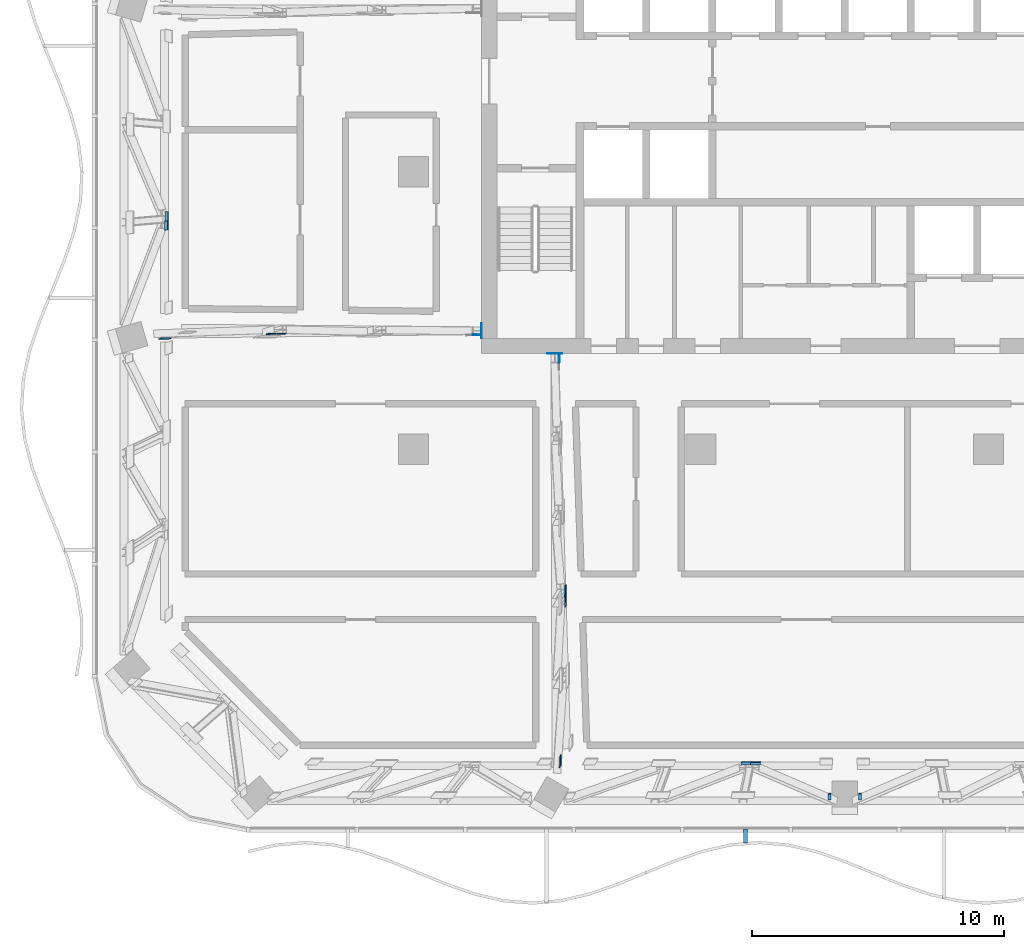
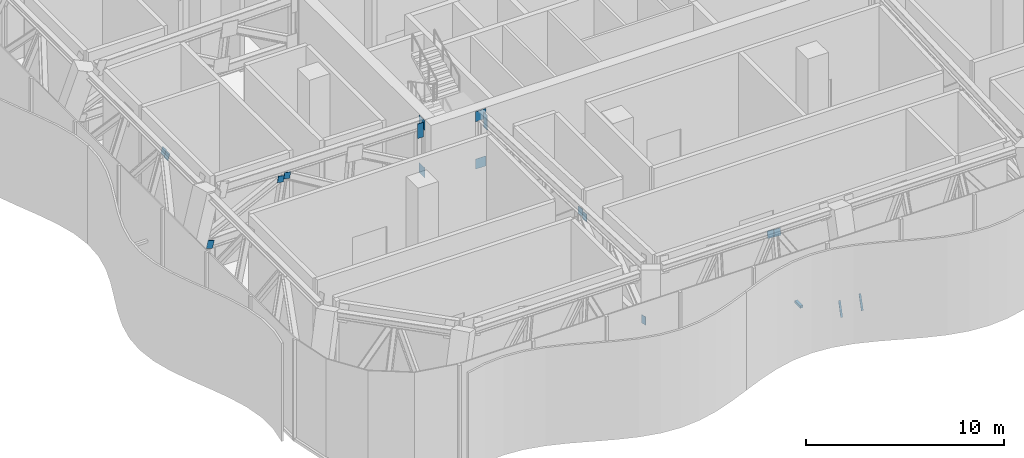
# One storey, part 19 of 29: 19 discrete accessories.
"""IFC4 building model written with IfcOpenShell, lengths in metres."""

from ifc_helpers import new_model, si_unit, direction, frame, origin, origin_2d, place, context, subcontext, project, spatial, rectangle, extrude, material, layer, layer_set, type_object, element, save


model = new_model("IFC4")

# Units and contexts
model_context = context("Model", 3, precision=1e-05, world=origin(), true_north=direction((0.0, 1.0)))
body_context = subcontext(model_context, "Body", "Model", "MODEL_VIEW")
ifc_project = project(units=[si_unit("LENGTHUNIT", "METRE"), si_unit("AREAUNIT", "SQUARE_METRE"), si_unit("VOLUMEUNIT", "CUBIC_METRE"), si_unit("PLANEANGLEUNIT", "RADIAN"), si_unit("MASSUNIT", "GRAM", prefix="KILO")], contexts=[model_context])

# Site, building, storey
site_placement = place(None, origin())
site = spatial("IfcSite", under=ifc_project, at=site_placement, CompositionType="ELEMENT")
building_placement = place(site_placement, origin())
building = spatial("IfcBuilding", under=site, at=building_placement, Name="Mopane Tessera Tower", CompositionType="ELEMENT")
storey_placement = place(building_placement, frame((0.0, 0.0, 315.39990234375)))
storey = spatial("IfcBuildingStorey", under=building, at=storey_placement, Name="L69", CompositionType="ELEMENT", Elevation=315.39990234375)

# Discrete accessories
ifc_material_1 = material(Name="Structural steel S460", Category="steel")
ifc_layer_1 = layer(ifc_material_1, 0.014892578125)
ifc_layer_set_1 = layer_set([ifc_layer_1], Name="Structural steel S460")
discrete_accessory_type_1 = type_object("IfcDiscreteAccessoryType", Name="Cast-in anchor plate 15 mm", PredefinedType="ANCHORPLATE", material=ifc_layer_set_1)
for number, where, z_axis, x_axis, name in (
    (1, (-14.407470703125, -6.30029296875, 2.10009765625), (0.0, 0.0, 1.0), (-1.0, 0.0, 0.0), "Cast-in anchor plate s ot L69 W2 b"),
    (2, (-14.407470703125, -6.2998046875, 5.030029296875), (0.0, 0.0, 1.0), (-1.0, 0.0, 0.0), "Cast-in anchor plate s ot L69 W2 t"),
    (3, (-11.501220703125, -7.20751953125, 2.10009765625), (0.0, 0.0, 1.0), (0.0, -1.0, 0.0), "Cast-in anchor plate s ot L69 S1 b"),
    (4, (-11.500732421875, -7.20751953125, 5.030029296875), (0.0, 0.0, 1.0), (0.0, -1.0, 0.0), "Cast-in anchor plate s ot L69 S1 t"),
):
    element("IfcDiscreteAccessory", number, at=place(storey_placement, frame(where, z_axis=z_axis, x_axis=x_axis)), inside=storey, type_object=discrete_accessory_type_1, Name=name, PredefinedType="ANCHORPLATE", context=body_context, shape_type="SweptSolid", body=[
        extrude(rectangle(XDim=0.014892578125, YDim=0.60498046875, at=origin_2d()), origin(), (0.0, 0.0, 1.0), 0.6201171875),
    ])
ifc_material_2 = material(Name="Stainless steel S316", Category="steel")
discrete_accessory_type_2 = type_object("IfcDiscreteAccessoryType", Name="Louvre bracket 150 x 150", PredefinedType="BRACKET", material=ifc_material_2)
discrete_accessory_1_placement = place(storey_placement, frame((-3.941650390625, -26.340576171875, 2.5400390625), z_axis=(0.0, 0.0, 1.0), x_axis=(0.0, -1.0, 0.0)))
element("IfcDiscreteAccessory", 5, at=discrete_accessory_1_placement, inside=storey, type_object=discrete_accessory_type_2, Name="e:lv:L69:S:1:br0", PredefinedType="BRACKET", context=body_context, shape_type="SweptSolid", body=[
    extrude(rectangle(XDim=0.561279296875, YDim=0.14990234375, at=origin_2d()), origin(), (0.0, 0.0, 1.0), 0.14990234375),
])
ifc_material_3 = material(Name="Structural steel S460", Category="steel")
ifc_layer_2 = layer(ifc_material_3, 0.030029296875)
ifc_layer_set_2 = layer_set([ifc_layer_2], Name="Structural steel S460")
discrete_accessory_type_3 = type_object("IfcDiscreteAccessoryType", Name="Truss node plate 30 mm", PredefinedType="BRACKET", material=ifc_layer_set_2)
discrete_accessory_2_placement = place(storey_placement, frame((-14.585693359375, -6.466796875, 4.580078125), z_axis=(0.004611993812, 0.001085175015, 0.999988775891), x_axis=(-0.038361252739, -0.99926314021, 0.00126131141)))
element("IfcDiscreteAccessory", 6, at=discrete_accessory_2_placement, inside=storey, type_object=discrete_accessory_type_3, Name="Truss node plate s ot L69 W2 1", PredefinedType="BRACKET", context=body_context, shape_type="SweptSolid", body=[
    extrude(rectangle(XDim=0.030029296875, YDim=0.35009765625, at=origin_2d()), origin(), (0.0, 0.0, 1.0), 0.89990234375),
])
discrete_accessory_3_placement = place(storey_placement, frame((-22.394775390625, -6.43212890625, 4.76025390625), z_axis=(0.188911649404, 0.054544912856, 0.98047806768), x_axis=(0.021548201388, -0.998446023713, 0.051392730496)))
element("IfcDiscreteAccessory", 7, at=discrete_accessory_3_placement, inside=storey, type_object=discrete_accessory_type_3, Name="Truss node plate s ot L69 W2 4", PredefinedType="BRACKET", context=body_context, shape_type="SweptSolid", body=[
    extrude(rectangle(XDim=0.030029296875, YDim=0.35986328125, at=origin_2d()), origin(), (0.0, 0.0, 1.0), 0.366943359375),
])
discrete_accessory_4_placement = place(storey_placement, frame((-22.763671875, -6.43603515625, 4.66748046875), z_axis=(0.197200504573, 0.057101829607, 0.978698800475), x_axis=(0.023186938557, -0.99829468772, 0.05357314952)))
element("IfcDiscreteAccessory", 8, at=discrete_accessory_4_placement, inside=storey, type_object=discrete_accessory_type_3, Name="Truss node plate s ot L69 W2 6", PredefinedType="BRACKET", context=body_context, shape_type="SweptSolid", body=[
    extrude(rectangle(XDim=0.030029296875, YDim=0.35986328125, at=origin_2d()), origin(), (0.0, 0.0, 1.0), 0.36767578125),
])
discrete_accessory_5_placement = place(storey_placement, frame((-27.027587890625, -6.627197265625, 2.193359375), z_axis=(0.274793231268, 0.078820848262, 0.958267162084), x_axis=(0.030887626219, -0.996843519112, 0.073136536363)))
element("IfcDiscreteAccessory", 9, at=discrete_accessory_5_placement, inside=storey, type_object=discrete_accessory_type_3, Name="Truss node plate s ot L69 W2 8", PredefinedType="BRACKET", context=body_context, shape_type="SweptSolid", body=[
    extrude(rectangle(XDim=0.030029296875, YDim=0.382568359375, at=origin_2d()), origin(), (0.0, 0.0, 1.0), 0.4521484375),
])
discrete_accessory_6_placement = place(storey_placement, frame((-11.329345703125, -7.388671875, 4.580078125), z_axis=(0.001899064103, 0.003255538462, 0.999992897487), x_axis=(0.999997578114, -0.001118527884, -0.001895431555)))
element("IfcDiscreteAccessory", 10, at=discrete_accessory_6_placement, inside=storey, type_object=discrete_accessory_type_3, Name="Truss node plate s ot L69 S1 1", PredefinedType="BRACKET", context=body_context, shape_type="SweptSolid", body=[
    extrude(rectangle(XDim=0.030029296875, YDim=0.35009765625, at=origin_2d()), origin(), (0.0, 0.0, 1.0), 0.89990234375),
])
discrete_accessory_7_placement = place(storey_placement, frame((-11.100830078125, -16.636962890625, 4.745361328125), z_axis=(0.08667752402, 0.150085914075, 0.984866095074), x_axis=(0.996231246237, -0.009871758371, -0.086173385723)))
element("IfcDiscreteAccessory", 11, at=discrete_accessory_7_placement, inside=storey, type_object=discrete_accessory_type_3, Name="Truss node plate s ot L69 S1 6", PredefinedType="BRACKET", context=body_context, shape_type="SweptSolid", body=[
    extrude(rectangle(XDim=0.030029296875, YDim=0.41357421875, at=origin_2d()), origin(), (0.0, 0.0, 1.0), 0.419677734375),
])
discrete_accessory_8_placement = place(storey_placement, frame((-11.097900390625, -17.057373046875, 4.667236328125), z_axis=(0.090000415445, 0.156194269385, 0.983617443639), x_axis=(0.995933054911, -0.009993050928, -0.089540432592)))
element("IfcDiscreteAccessory", 12, at=discrete_accessory_8_placement, inside=storey, type_object=discrete_accessory_type_3, Name="Truss node plate s ot L69 S1 8", PredefinedType="BRACKET", context=body_context, shape_type="SweptSolid", body=[
    extrude(rectangle(XDim=0.030029296875, YDim=0.41357421875, at=origin_2d()), origin(), (0.0, 0.0, 1.0), 0.42041015625),
])
discrete_accessory_9_placement = place(storey_placement, frame((-11.3193359375, -23.4287109375, 2.19921875), z_axis=(0.139576199359, 0.241338926382, 0.960350981249), x_axis=(0.990208107512, -0.031542511996, -0.135988873642)))
element("IfcDiscreteAccessory", 13, at=discrete_accessory_9_placement, inside=storey, type_object=discrete_accessory_type_3, Name="Truss node plate s ot L69 S1 11", PredefinedType="BRACKET", context=body_context, shape_type="SweptSolid", body=[
    extrude(rectangle(XDim=0.030029296875, YDim=0.421630859375, at=origin_2d()), origin(), (0.0, 0.0, 1.0), 0.43896484375),
])
discrete_accessory_10_placement = place(storey_placement, frame((-3.92431640625, -23.500244140625, 4.9921875), z_axis=(0.052475002317, 0.257604556828, 0.964824474417), x_axis=(-0.015479812039, 0.966249353816, -0.25714307626)))
element("IfcDiscreteAccessory", 14, at=discrete_accessory_10_placement, inside=storey, type_object=discrete_accessory_type_3, Name="Truss node plate s bt L69 S1-S2 4", PredefinedType="BRACKET", context=body_context, shape_type="SweptSolid", body=[
    extrude(rectangle(XDim=0.030029296875, YDim=0.39501953125, at=origin_2d()), origin(), (0.0, 0.0, 1.0), 0.409423828125),
])
discrete_accessory_11_placement = place(storey_placement, frame((-3.54638671875, -23.5087890625, 4.959716796875), z_axis=(0.047723277114, 0.257109155451, 0.965203279628), x_axis=(-0.012463355342, 0.966382342092, -0.256806996919)))
element("IfcDiscreteAccessory", 15, at=discrete_accessory_11_placement, inside=storey, type_object=discrete_accessory_type_3, Name="Truss node plate s bt L69 S1-S2 6", PredefinedType="BRACKET", context=body_context, shape_type="SweptSolid", body=[
    extrude(rectangle(XDim=0.030029296875, YDim=0.39501953125, at=origin_2d()), origin(), (0.0, 0.0, 1.0), 0.4091796875),
])
for number, where, z_axis, x_axis, name in (
    (16, (-0.60302734375, -24.89794921875, -0.2490234375), (0.007601703055, 0.257671520785, 0.96620267102), (-0.001902199952, 0.966232566616, -0.257664527722), "Truss node plate s bt L69 S1-S2 8"),
    (17, (0.60302734375, -24.89794921875, -0.2490234375), (-0.007601703055, 0.257671520785, 0.96620267102), (0.001902199952, 0.966232566616, -0.257664527722), "Truss node plate s bt L69 S2-S3 0"),
):
    element("IfcDiscreteAccessory", number, at=place(storey_placement, frame(where, z_axis=z_axis, x_axis=x_axis)), inside=storey, type_object=discrete_accessory_type_3, Name=name, PredefinedType="BRACKET", context=body_context, shape_type="SweptSolid", body=[
        extrude(rectangle(XDim=0.030029296875, YDim=0.116455078125, at=origin_2d()), origin(), (0.0, 0.0, 1.0), 0.931396484375),
    ])
discrete_accessory_12_placement = place(storey_placement, frame((-26.94189453125, -1.7626953125, 4.993408203125), z_axis=(0.294472078898, 0.024590570263, 0.955343654715), x_axis=(0.955658362517, -0.005680148503, -0.294422876258)))
element("IfcDiscreteAccessory", 18, at=discrete_accessory_12_placement, inside=storey, type_object=discrete_accessory_type_3, Name="Truss node plate s bt L69 W1-W2 4", PredefinedType="BRACKET", context=body_context, shape_type="SweptSolid", body=[
    extrude(rectangle(XDim=0.030029296875, YDim=0.37939453125, at=origin_2d()), origin(), (0.0, 0.0, 1.0), 0.397216796875),
])
discrete_accessory_13_placement = place(storey_placement, frame((-26.953857421875, -2.12841796875, 4.954833984375), z_axis=(0.29482110706, 0.029482110706, 0.955097544746), x_axis=(0.95555141, -0.007610429732, -0.294726286928)))
element("IfcDiscreteAccessory", 19, at=discrete_accessory_13_placement, inside=storey, type_object=discrete_accessory_type_3, Name="Truss node plate s bt L69 W1-W2 6", PredefinedType="BRACKET", context=body_context, shape_type="SweptSolid", body=[
    extrude(rectangle(XDim=0.030029296875, YDim=0.37939453125, at=origin_2d()), origin(), (0.0, 0.0, 1.0), 0.3974609375),
])

save(model, "model.ifc")
